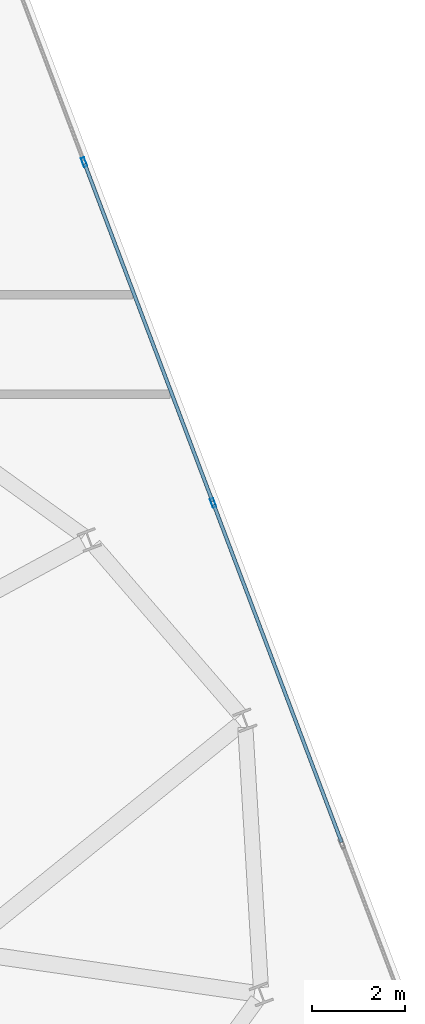
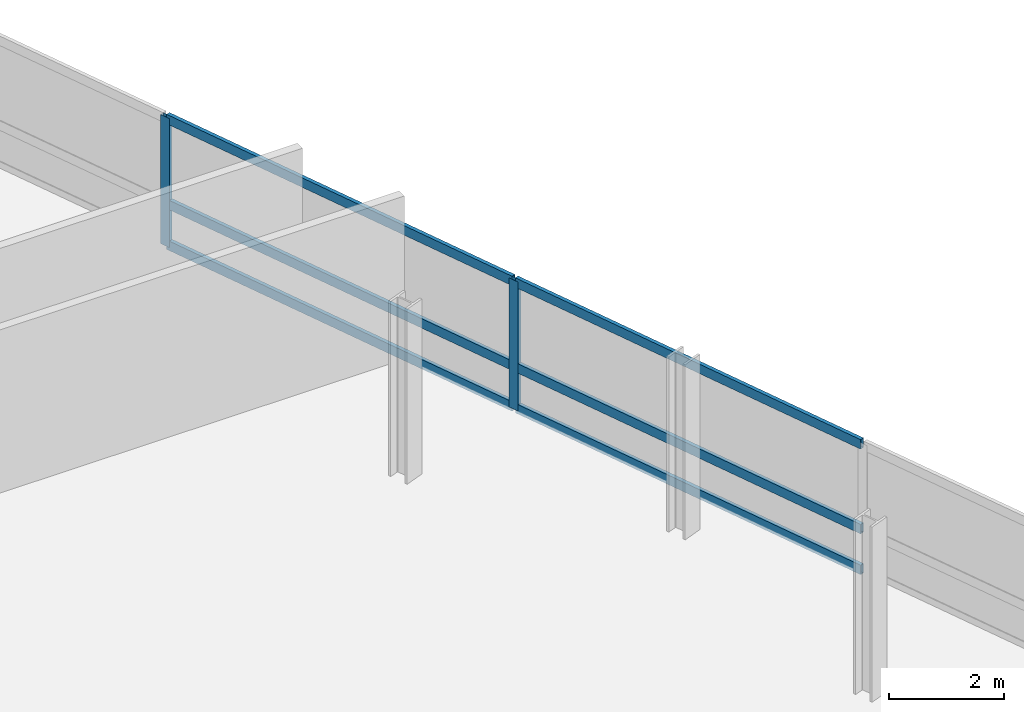
# One storey, part 16 of 24: 8 members, 1 element without a shape of its own.
"""IFC4 building model written with IfcOpenShell, lengths in metres."""

from ifc_helpers import new_model, si_unit, direction, frame, origin, origin_2d, place, context, subcontext, project, spatial, hollow_rectangle, extrude, material, layer, layer_set, material_profile, profile_set, type_object, element, aggregate, save


model = new_model("IFC4")

# Units and contexts
model_context = context("Model", 3, precision=1e-05, world=origin(), true_north=direction((0.0, 1.0)))
body_context = subcontext(model_context, "Body", "Model", "MODEL_VIEW")
ifc_project = project(units=[si_unit("LENGTHUNIT", "METRE"), si_unit("AREAUNIT", "SQUARE_METRE"), si_unit("VOLUMEUNIT", "CUBIC_METRE"), si_unit("PLANEANGLEUNIT", "RADIAN"), si_unit("MASSUNIT", "GRAM", prefix="KILO")], contexts=[model_context])

# Site, building, storey
site_placement = place(None, origin())
site = spatial("IfcSite", under=ifc_project, at=site_placement, CompositionType="ELEMENT")
building_placement = place(site_placement, origin())
building = spatial("IfcBuilding", under=site, at=building_placement, Name="Varnelok Gate Tower", CompositionType="ELEMENT")
storey_placement = place(building_placement, frame((0.0, 0.0, 212.699951171875)))
storey = spatial("IfcBuildingStorey", under=building, at=storey_placement, Name="L54", CompositionType="ELEMENT", Elevation=212.699951171875)

# Curtain wall, members
ifc_material = material(Name="Anodized Aluminum Alloy 6063-T6", Category="aluminium")
ifc_layer = layer(ifc_material, 0.179931640625)
ifc_layer_set = layer_set([ifc_layer], Name="Anodized Aluminum Alloy 6063-T6")
curtain_wall_type = type_object("IfcCurtainWallType", Name="CW4-RESIDENCE-VISION", PredefinedType="USERDEFINED", material=ifc_layer_set)
curtain_wall_placement = place(storey_placement, origin())
curtain_wall = element("IfcCurtainWall", 1, at=curtain_wall_placement, inside=storey, type_object=curtain_wall_type, Name="L54 East End Vision Curtain Wall", ObjectType="UNITISED CURTAIN WALL", PredefinedType="USERDEFINED")
ifc_material_profile_1 = material_profile(ifc_material, hollow_rectangle(XDim=0.074951171875, YDim=0.199951171875, WallThickness=0.00390625, at=origin_2d()), Name="ALU200X75X4")
ifc_profile_set_1 = profile_set([ifc_material_profile_1], Name="Anodized Aluminum Alloy 6063-T6")
member_type_1 = type_object("IfcMemberType", Name="CW-MULL-200", PredefinedType="MULLION", material=ifc_profile_set_1)
member_1_placement = place(storey_placement, frame((67.26318359375, 44.2646484375, 0.0), z_axis=(0.0, 0.0, 1.0), x_axis=(0.935221557832, 0.354063042079, 0.0)))
member_1 = element("IfcMember", 2, at=member_1_placement, type_object=member_type_1, Name="CW4 mullion 2", PredefinedType="MULLION", context=body_context, shape_type="SweptSolid", body=[
    extrude(hollow_rectangle(XDim=0.074951171875, YDim=0.199951171875, WallThickness=0.00390625, at=origin_2d()), origin(), (0.0, 0.0, 1.0), 2.72998046875),
])
member_2_placement = place(storey_placement, frame((70.02490234375, 36.969970703125, 0.0), z_axis=(0.0, 0.0, 1.0), x_axis=(0.935221557832, 0.354063042079, 0.0)))
member_2 = element("IfcMember", 3, at=member_2_placement, type_object=member_type_1, Name="CW4 mullion 3", PredefinedType="MULLION", context=body_context, shape_type="SweptSolid", body=[
    extrude(hollow_rectangle(XDim=0.074951171875, YDim=0.199951171875, WallThickness=0.00390625, at=origin_2d()), origin(), (0.0, 0.0, 1.0), 2.72998046875),
])
ifc_material_profile_2 = material_profile(ifc_material, hollow_rectangle(XDim=0.074951171875, YDim=0.199951171875, WallThickness=0.00390625, at=origin_2d()), Name="ALU200X75X4")
ifc_profile_set_2 = profile_set([ifc_material_profile_2], Name="Anodized Aluminum Alloy 6063-T6")
member_type_2 = type_object("IfcMemberType", Name="CW-TRAN-200", PredefinedType="USERDEFINED", material=ifc_profile_set_2)
member_3_placement = place(storey_placement, frame((67.2763671875, 44.2294921875, 0.03759765625), z_axis=(0.354086355793, -0.935212731223, 0.0), x_axis=(0.935212731223, 0.354086355793, 0.0)))
member_3 = element("IfcMember", 4, at=member_3_placement, type_object=member_type_2, Name="CW4 transom 2.1", ObjectType="TRANSOM", PredefinedType="USERDEFINED", context=body_context, shape_type="SweptSolid", body=[
    extrude(hollow_rectangle(XDim=0.074951171875, YDim=0.199951171875, WallThickness=0.00390625, at=origin_2d()), origin(), (0.0, 0.0, 1.0), 7.72509765625),
])
member_4_placement = place(storey_placement, frame((67.2763671875, 44.2294921875, 0.900146484375), z_axis=(0.354086355793, -0.935212731223, 0.0), x_axis=(0.935212731223, 0.354086355793, 0.0)))
member_4 = element("IfcMember", 5, at=member_4_placement, type_object=member_type_2, Name="CW4 transom 2.2", ObjectType="TRANSOM", PredefinedType="USERDEFINED", context=body_context, shape_type="SweptSolid", body=[
    extrude(hollow_rectangle(XDim=0.074951171875, YDim=0.199951171875, WallThickness=0.00390625, at=origin_2d()), origin(), (0.0, 0.0, 1.0), 7.72509765625),
])
member_5_placement = place(storey_placement, frame((67.2763671875, 44.2294921875, 2.692626953125), z_axis=(0.354086355793, -0.935212731223, 0.0), x_axis=(0.935212731223, 0.354086355793, 0.0)))
member_5 = element("IfcMember", 6, at=member_5_placement, type_object=member_type_2, Name="CW4 transom 2.3", ObjectType="TRANSOM", PredefinedType="USERDEFINED", context=body_context, shape_type="SweptSolid", body=[
    extrude(hollow_rectangle(XDim=0.074951171875, YDim=0.199951171875, WallThickness=0.00390625, at=origin_2d()), origin(), (0.0, 0.0, 1.0), 7.72509765625),
])
member_6_placement = place(storey_placement, frame((70.0380859375, 36.934814453125, 0.03759765625), z_axis=(0.354086355793, -0.935212731223, 0.0), x_axis=(0.935212731223, 0.354086355793, 0.0)))
member_6 = element("IfcMember", 7, at=member_6_placement, type_object=member_type_2, Name="CW4 transom 3.1", ObjectType="TRANSOM", PredefinedType="USERDEFINED", context=body_context, shape_type="SweptSolid", body=[
    extrude(hollow_rectangle(XDim=0.074951171875, YDim=0.199951171875, WallThickness=0.00390625, at=origin_2d()), origin(), (0.0, 0.0, 1.0), 7.72509765625),
])
member_7_placement = place(storey_placement, frame((70.0380859375, 36.934814453125, 0.900146484375), z_axis=(0.354086355793, -0.935212731223, 0.0), x_axis=(0.935212731223, 0.354086355793, 0.0)))
member_7 = element("IfcMember", 8, at=member_7_placement, type_object=member_type_2, Name="CW4 transom 3.2", ObjectType="TRANSOM", PredefinedType="USERDEFINED", context=body_context, shape_type="SweptSolid", body=[
    extrude(hollow_rectangle(XDim=0.074951171875, YDim=0.199951171875, WallThickness=0.00390625, at=origin_2d()), origin(), (0.0, 0.0, 1.0), 7.72509765625),
])
member_8_placement = place(storey_placement, frame((70.0380859375, 36.934814453125, 2.692626953125), z_axis=(0.354086355793, -0.935212731223, 0.0), x_axis=(0.935212731223, 0.354086355793, 0.0)))
member_8 = element("IfcMember", 9, at=member_8_placement, type_object=member_type_2, Name="CW4 transom 3.3", ObjectType="TRANSOM", PredefinedType="USERDEFINED", context=body_context, shape_type="SweptSolid", body=[
    extrude(hollow_rectangle(XDim=0.074951171875, YDim=0.199951171875, WallThickness=0.00390625, at=origin_2d()), origin(), (0.0, 0.0, 1.0), 7.72509765625),
])
aggregate(curtain_wall, [member_1, member_2, member_3, member_4, member_5, member_6, member_7, member_8])

save(model, "model.ifc")
